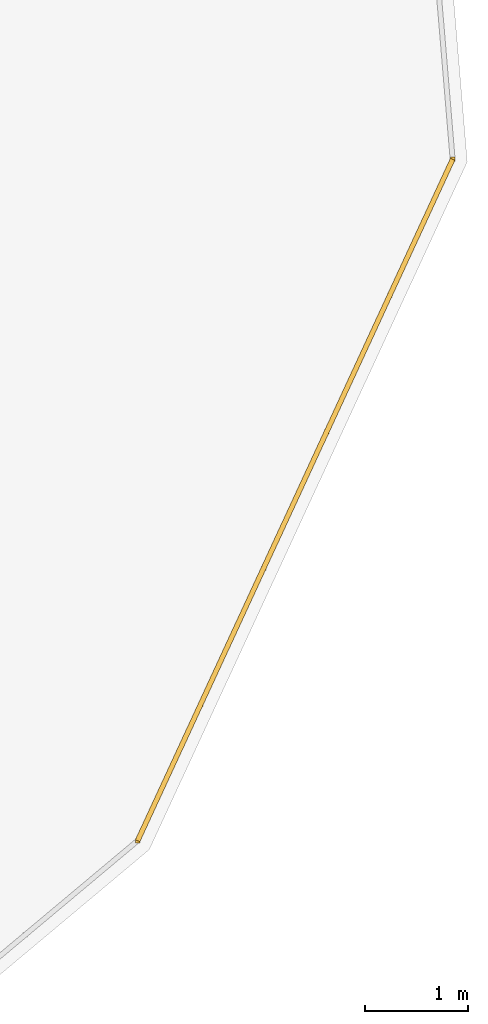
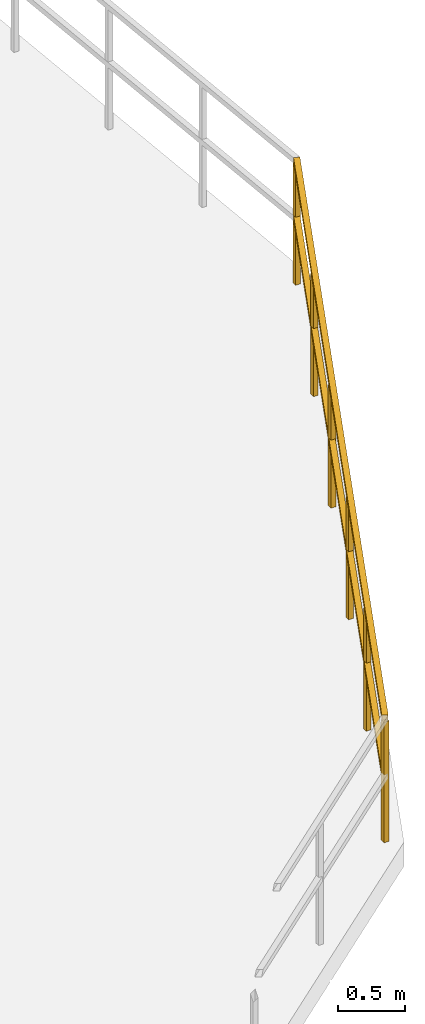
# One storey, part 15 of 15: 1 railing.
"""IFC4 building model written with IfcOpenShell, lengths in metres."""

from ifc_helpers import new_model, si_unit, direction, frame, origin, origin_2d, place, context, subcontext, project, spatial, rectangle, extrude, material, type_object, element, save


model = new_model("IFC4")

# Units and contexts
model_context = context("Model", 3, precision=1e-05, world=origin(), true_north=direction((0.0, 1.0)))
body_context = subcontext(model_context, "Body", "Model", "MODEL_VIEW")
ifc_project = project(units=[si_unit("LENGTHUNIT", "METRE"), si_unit("AREAUNIT", "SQUARE_METRE"), si_unit("VOLUMEUNIT", "CUBIC_METRE"), si_unit("PLANEANGLEUNIT", "RADIAN"), si_unit("MASSUNIT", "GRAM", prefix="KILO")], contexts=[model_context])

# Site, building, storey
site_placement = place(None, origin())
site = spatial("IfcSite", under=ifc_project, at=site_placement, CompositionType="ELEMENT")
building_placement = place(site_placement, origin())
building = spatial("IfcBuilding", under=site, at=building_placement, Name="Breltana Convention Tower", CompositionType="ELEMENT")
storey_placement = place(building_placement, frame((0.0, 0.0, 231.300048828125)))
storey = spatial("IfcBuildingStorey", under=building, at=storey_placement, Name="L56", CompositionType="ELEMENT", Elevation=231.300048828125)

# Railing
ifc_material = material(Name="Stainless Steel 316L", Category="steel")
railing_type = type_object("IfcRailingType", Name="RL-BALUSTRADE-1150", PredefinedType="BALUSTRADE", material=ifc_material)
railing_placement = place(storey_placement, frame((85.308837890625, 46.741943359375, 0.0)))
element("IfcRailing", 1, at=railing_placement, inside=storey, type_object=railing_type, Name="L56 sky terrace outer balustrade 2.10", PredefinedType="BALUSTRADE", context=body_context, shape_type="SweptSolid", body=[
    extrude(rectangle(XDim=0.048095703125, YDim=0.048095703125, at=origin_2d()), frame((0.0, 0.0, 1.1259765625), z_axis=(-0.419621386357, -0.907699229983, 0.0), x_axis=(0.907699229983, -0.419621386357, 0.0)), (0.0, 0.0, 1.0), 7.31103515625),
    extrude(rectangle(XDim=0.048095703125, YDim=0.048095703125, at=origin_2d()), frame((0.0, 0.0, 0.597900390625), z_axis=(-0.419621386357, -0.907699229983, 0.0), x_axis=(0.907699229983, -0.419621386357, 0.0)), (0.0, 0.0, 1.0), 7.31103515625),
    extrude(rectangle(XDim=0.0419921875, YDim=0.0419921875, at=origin_2d()), origin(), (0.0, 0.0, 1.0), 1.101806640625),
    extrude(rectangle(XDim=0.0419921875, YDim=0.0419921875, at=origin_2d()), frame((-0.613525390625, -1.3271484375, 0.0)), (0.0, 0.0, 1.0), 1.101806640625),
    extrude(rectangle(XDim=0.0419921875, YDim=0.0419921875, at=origin_2d()), frame((-1.22705078125, -2.654541015625, 0.0)), (0.0, 0.0, 1.0), 1.101806640625),
    extrude(rectangle(XDim=0.0419921875, YDim=0.0419921875, at=origin_2d()), frame((-1.8408203125, -3.981689453125, 0.0)), (0.0, 0.0, 1.0), 1.101806640625),
    extrude(rectangle(XDim=0.0419921875, YDim=0.0419921875, at=origin_2d()), frame((-2.454345703125, -5.30908203125, 0.0)), (0.0, 0.0, 1.0), 1.101806640625),
    extrude(rectangle(XDim=0.0419921875, YDim=0.0419921875, at=origin_2d()), frame((-3.06787109375, -6.63623046875, 0.0)), (0.0, 0.0, 1.0), 1.101806640625),
])

save(model, "model.ifc")
